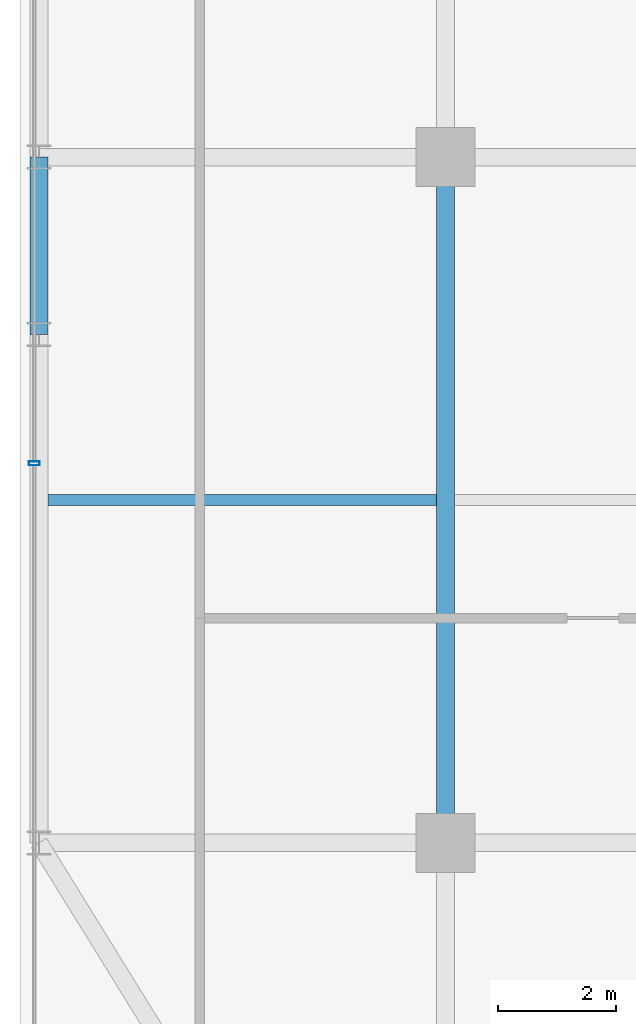
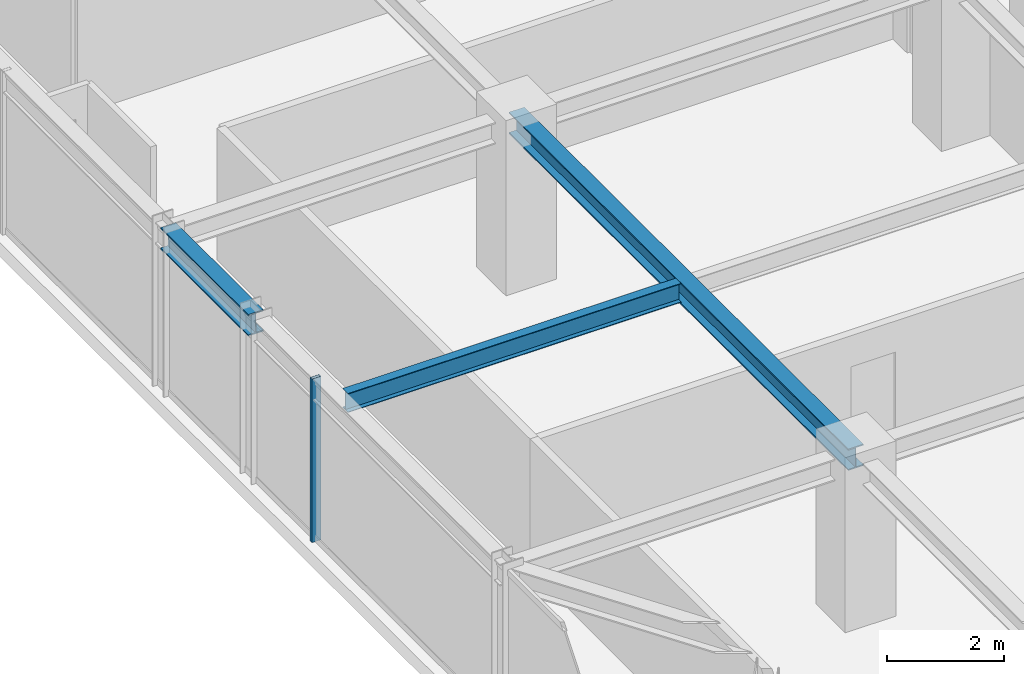
# One storey, part 8 of 36: 3 beams, 1 member, 1 element without a shape of its own.
"""IFC4 building model written with IfcOpenShell, lengths in metres."""

from ifc_helpers import new_model, si_unit, direction, frame, origin, origin_2d, place, context, subcontext, project, spatial, hollow_rectangle, i_section, extrude, source, transform, mapped, material, material_profile, profile_set, type_object, element, aggregate, save


model = new_model("IFC4")

# Units and contexts
model_context = context("Model", 3, precision=1e-05, world=origin(), true_north=direction((0.0, 1.0)))
body_context = subcontext(model_context, "Body", "Model", "MODEL_VIEW")
ifc_project = project(units=[si_unit("LENGTHUNIT", "METRE"), si_unit("AREAUNIT", "SQUARE_METRE"), si_unit("VOLUMEUNIT", "CUBIC_METRE"), si_unit("PLANEANGLEUNIT", "RADIAN"), si_unit("MASSUNIT", "GRAM", prefix="KILO")], contexts=[model_context])

# Site, building, storey
site_placement = place(None, origin())
site = spatial("IfcSite", under=ifc_project, at=site_placement, CompositionType="ELEMENT")
building_placement = place(site_placement, origin())
building = spatial("IfcBuilding", under=site, at=building_placement, Name="Nahalor Promenade Grand Hotel", CompositionType="ELEMENT")
storey_placement = place(building_placement, frame((0.0, 0.0, 253.0)))
storey = spatial("IfcBuildingStorey", under=building, at=storey_placement, Name="L65", CompositionType="ELEMENT", Elevation=253.0)

# Beams
ifc_material_1 = material(Name="Steel S355JR", Category="steel")
ifc_material_profile_1 = material_profile(ifc_material_1, i_section(OverallWidth=0.3, OverallDepth=0.45, WebThickness=0.014, FlangeThickness=0.026, at=origin_2d()), Name="HEB 450")
ifc_profile_set_1 = profile_set([ifc_material_profile_1], Name="Steel S355JR")
beam_type_1 = type_object("IfcBeamType", Name="Beam-Spandrel-HEB450", PredefinedType="SPANDREL", material=ifc_profile_set_1)
shared_shape_1 = source(origin(), body_context, "Body", "SweptSolid", [
    extrude(i_section(OverallWidth=0.3, OverallDepth=0.45, WebThickness=0.014, FlangeThickness=0.026, at=origin_2d()), origin(), (0.0, 0.0, 1.0), 3.0),
])
beam_1_placement = place(storey_placement, frame((-23.8798828125, -8.39990234375, 3.18505859375), z_axis=(0.0, 1.0, 0.0), x_axis=(-1.0, 0.0, 0.0)))
element("IfcBeam", 1, at=beam_1_placement, inside=storey, type_object=beam_type_1, Name="BM-L65-SP-W-1", PredefinedType="SPANDREL", context=body_context, shape_type="MappedRepresentation", body=[
    mapped(shared_shape_1, transform((0.0, 0.0, 0.0), scale=1.0)),
])
ifc_material_profile_2 = material_profile(ifc_material_1, i_section(OverallWidth=0.3, OverallDepth=0.45, WebThickness=0.014, FlangeThickness=0.026, at=origin_2d()), Name="HEB 450")
ifc_profile_set_2 = profile_set([ifc_material_profile_2], Name="Steel S355JR")
beam_type_2 = type_object("IfcBeamType", Name="Beam-Girder-HEB450", PredefinedType="BEAM", material=ifc_profile_set_2)
shared_shape_2 = source(origin(), body_context, "Body", "SweptSolid", [
    extrude(i_section(OverallWidth=0.3, OverallDepth=0.45, WebThickness=0.014, FlangeThickness=0.026, at=origin_2d()), origin(), (0.0, 0.0, 1.0), 11.60009765625),
])
beam_2_placement = place(storey_placement, frame((-17.0, -17.0, 3.18505859375), z_axis=(0.0, 1.0, 0.0), x_axis=(-1.0, 0.0, 0.0)))
element("IfcBeam", 2, at=beam_2_placement, inside=storey, type_object=beam_type_2, Name="BM-L65-GY-0-1", PredefinedType="BEAM", context=body_context, shape_type="MappedRepresentation", body=[
    mapped(shared_shape_2, transform((0.0, 0.0, 0.0), scale=1.0)),
])
ifc_material_profile_3 = material_profile(ifc_material_1, i_section(OverallWidth=0.18, OverallDepth=0.4, WebThickness=0.0086, FlangeThickness=0.0135, at=origin_2d()), Name="IPE 400")
ifc_profile_set_3 = profile_set([ifc_material_profile_3], Name="Steel S355JR")
beam_type_3 = type_object("IfcBeamType", Name="Beam-Joist-IPE400", PredefinedType="JOIST", material=ifc_profile_set_3)
shared_shape_3 = source(origin(), body_context, "Body", "SweptSolid", [
    extrude(i_section(OverallWidth=0.18, OverallDepth=0.4, WebThickness=0.0086, FlangeThickness=0.0135, at=origin_2d()), origin(), (0.0, 0.0, 1.0), 6.580078125),
])
beam_3_placement = place(storey_placement, frame((-23.72998046875, -11.199951171875, 3.2099609375), z_axis=(1.0, 0.0, 0.0), x_axis=(0.0, 1.0, 0.0)))
element("IfcBeam", 3, at=beam_3_placement, inside=storey, type_object=beam_type_3, Name="BM-L65-JSW-0-0", PredefinedType="JOIST", context=body_context, shape_type="MappedRepresentation", body=[
    mapped(shared_shape_3, transform((0.0, 0.0, 0.0), scale=1.0)),
])

# Curtain wall, member
ifc_material_2 = material(Name="Anodised Bronze Aluminium EN AW-6063 T6", Category="aluminium")
curtain_wall_type = type_object("IfcCurtainWallType", Name="CW2 Typical Hotel Flush Bronze Unitised Curtain Wall", PredefinedType="USERDEFINED", material=ifc_material_2)
curtain_wall_placement = place(storey_placement, origin())
curtain_wall = element("IfcCurtainWall", 4, at=curtain_wall_placement, inside=storey, type_object=curtain_wall_type, Name="L65 Curtain Wall CW-L65-W-1", ObjectType="UNITISED_CURTAIN_WALL", PredefinedType="USERDEFINED")
ifc_material_profile_4 = material_profile(ifc_material_2, hollow_rectangle(XDim=0.065, YDim=0.18, WallThickness=0.004, at=origin_2d()), Name="CWM 65x180x4")
ifc_profile_set_4 = profile_set([ifc_material_profile_4], Name="Anodised Bronze Aluminium EN AW-6063 T6")
member_type = type_object("IfcMemberType", Name="CWM2 Typical Bronze Mullion 65x180", PredefinedType="MULLION", material=ifc_profile_set_4)
shared_shape_4 = source(origin(), body_context, "Body", "SweptSolid", [
    extrude(hollow_rectangle(XDim=0.065, YDim=0.18, WallThickness=0.004, at=origin_2d()), origin(), (0.0, 0.0, 1.0), 3.409912109375),
])
member_placement = place(storey_placement, frame((-23.9599609375, -10.580078125, 0.0), z_axis=(0.0, 0.0, 1.0), x_axis=(0.0, 1.0, 0.0)))
member = element("IfcMember", 5, at=member_placement, type_object=member_type, Name="CW-L65-W-1 Mullion 1", PredefinedType="MULLION", context=body_context, shape_type="MappedRepresentation", body=[
    mapped(shared_shape_4, transform((0.0, 0.0, 0.0), scale=1.0)),
])
aggregate(curtain_wall, [member])

save(model, "model.ifc")
